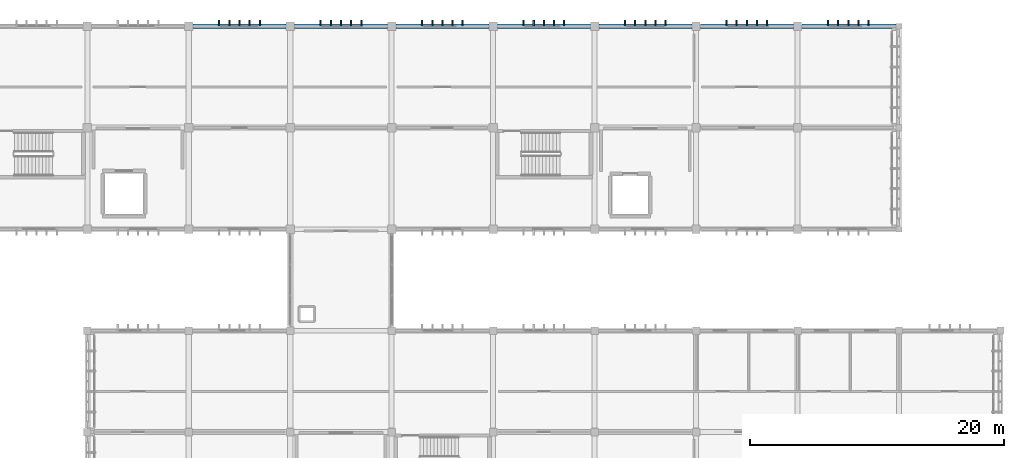
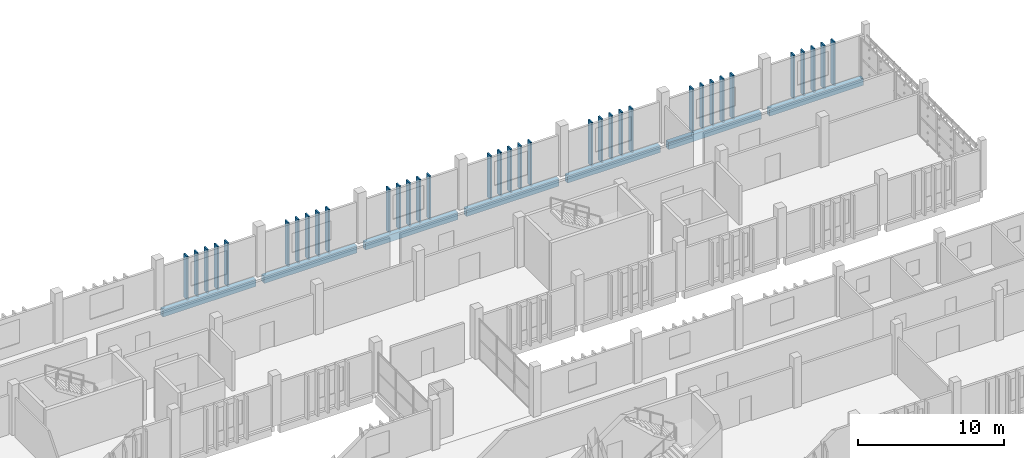
# One storey, part 38 of 63: 35 members, 7 beams.
"""IFC4 building model written with IfcOpenShell, lengths in metres."""

from ifc_helpers import new_model, si_unit, direction, frame, origin, origin_2d, place, context, subcontext, project, spatial, rectangle, extrude, material, material_profile, profile_set, type_object, element, save


model = new_model("IFC4")

# Units and contexts
model_context = context("Model", 3, precision=1e-05, world=origin(), true_north=direction((0.0, 1.0)))
body_context = subcontext(model_context, "Body", "Model", "MODEL_VIEW")
ifc_project = project(units=[si_unit("LENGTHUNIT", "METRE"), si_unit("AREAUNIT", "SQUARE_METRE"), si_unit("VOLUMEUNIT", "CUBIC_METRE"), si_unit("PLANEANGLEUNIT", "RADIAN"), si_unit("MASSUNIT", "GRAM", prefix="KILO")], contexts=[model_context])

# Site, building, storey
site_placement = place(None, origin())
site = spatial("IfcSite", under=ifc_project, at=site_placement, CompositionType="ELEMENT")
building_placement = place(site_placement, origin())
building = spatial("IfcBuilding", under=site, at=building_placement, Name="Jelvoka-Kovrelna Polytechnic", CompositionType="ELEMENT")
storey_placement = place(building_placement, frame((0.0, 0.0, 18.0)))
storey = spatial("IfcBuildingStorey", under=building, at=storey_placement, Name="L05", CompositionType="ELEMENT", Elevation=18.0)

# Members
ifc_material_1 = material(Name="Precast concrete C40/50", Category="concrete")
ifc_material_profile_1 = material_profile(ifc_material_1, rectangle(XDim=0.1201171875, YDim=0.449951171875, at=origin_2d()), Name="PC 120x450")
ifc_profile_set_1 = profile_set([ifc_material_profile_1], Name="Precast concrete C40/50")
member_type = type_object("IfcMemberType", Name="Louvre_Fin_120x450", PredefinedType="USERDEFINED", material=ifc_profile_set_1)
for number, where, z_axis, x_axis, name in (
    (1, (138.39990234375, 72.264892578125, -0.27001953125), (0.0, 0.0, 1.0), (1.0, 0.0, 0.0), "L05 B3 north vertical solar louvre fin 1881"),
    (2, (139.199951171875, 72.264892578125, -0.27001953125), (0.0, 0.0, 1.0), (1.0, 0.0, 0.0), "L05 B3 north vertical solar louvre fin 1882"),
    (3, (140.0, 72.264892578125, -0.27001953125), (0.0, 0.0, 1.0), (1.0, 0.0, 0.0), "L05 B3 north vertical solar louvre fin 1883"),
    (4, (140.800048828125, 72.264892578125, -0.27001953125), (0.0, 0.0, 1.0), (1.0, 0.0, 0.0), "L05 B3 north vertical solar louvre fin 1884"),
    (5, (141.60009765625, 72.264892578125, -0.27001953125), (0.0, 0.0, 1.0), (1.0, 0.0, 0.0), "L05 B3 north vertical solar louvre fin 1885"),
    (6, (146.39990234375, 72.264892578125, -0.27001953125), (0.0, 0.0, 1.0), (1.0, 0.0, 0.0), "L05 B3 north vertical solar louvre fin 1886"),
    (7, (147.199951171875, 72.264892578125, -0.27001953125), (0.0, 0.0, 1.0), (1.0, 0.0, 0.0), "L05 B3 north vertical solar louvre fin 1887"),
    (8, (148.0, 72.264892578125, -0.27001953125), (0.0, 0.0, 1.0), (1.0, 0.0, 0.0), "L05 B3 north vertical solar louvre fin 1888"),
    (9, (148.800048828125, 72.264892578125, -0.27001953125), (0.0, 0.0, 1.0), (1.0, 0.0, 0.0), "L05 B3 north vertical solar louvre fin 1889"),
    (10, (149.60009765625, 72.264892578125, -0.27001953125), (0.0, 0.0, 1.0), (1.0, 0.0, 0.0), "L05 B3 north vertical solar louvre fin 1890"),
    (11, (154.39990234375, 72.264892578125, -0.27001953125), (0.0, 0.0, 1.0), (1.0, 0.0, 0.0), "L05 B3 north vertical solar louvre fin 1896"),
    (12, (155.199951171875, 72.264892578125, -0.27001953125), (0.0, 0.0, 1.0), (1.0, 0.0, 0.0), "L05 B3 north vertical solar louvre fin 1897"),
    (13, (156.0, 72.264892578125, -0.27001953125), (0.0, 0.0, 1.0), (1.0, 0.0, 0.0), "L05 B3 north vertical solar louvre fin 1898"),
    (14, (156.800048828125, 72.264892578125, -0.27001953125), (0.0, 0.0, 1.0), (1.0, 0.0, 0.0), "L05 B3 north vertical solar louvre fin 1899"),
    (15, (157.60009765625, 72.264892578125, -0.27001953125), (0.0, 0.0, 1.0), (1.0, 0.0, 0.0), "L05 B3 north vertical solar louvre fin 1900"),
    (16, (162.39990234375, 72.264892578125, -0.27001953125), (0.0, 0.0, 1.0), (1.0, 0.0, 0.0), "L05 B3 north vertical solar louvre fin 1906"),
    (17, (163.199951171875, 72.264892578125, -0.27001953125), (0.0, 0.0, 1.0), (1.0, 0.0, 0.0), "L05 B3 north vertical solar louvre fin 1907"),
    (18, (164.0, 72.264892578125, -0.27001953125), (0.0, 0.0, 1.0), (1.0, 0.0, 0.0), "L05 B3 north vertical solar louvre fin 1908"),
    (19, (164.800048828125, 72.264892578125, -0.27001953125), (0.0, 0.0, 1.0), (1.0, 0.0, 0.0), "L05 B3 north vertical solar louvre fin 1909"),
    (20, (165.60009765625, 72.264892578125, -0.27001953125), (0.0, 0.0, 1.0), (1.0, 0.0, 0.0), "L05 B3 north vertical solar louvre fin 1910"),
    (21, (170.39990234375, 72.264892578125, -0.27001953125), (0.0, 0.0, 1.0), (1.0, 0.0, 0.0), "L05 B3 north vertical solar louvre fin 1916"),
    (22, (171.199951171875, 72.264892578125, -0.27001953125), (0.0, 0.0, 1.0), (1.0, 0.0, 0.0), "L05 B3 north vertical solar louvre fin 1917"),
    (23, (172.0, 72.264892578125, -0.27001953125), (0.0, 0.0, 1.0), (1.0, 0.0, 0.0), "L05 B3 north vertical solar louvre fin 1918"),
    (24, (172.800048828125, 72.264892578125, -0.27001953125), (0.0, 0.0, 1.0), (1.0, 0.0, 0.0), "L05 B3 north vertical solar louvre fin 1919"),
    (25, (173.60009765625, 72.264892578125, -0.27001953125), (0.0, 0.0, 1.0), (1.0, 0.0, 0.0), "L05 B3 north vertical solar louvre fin 1920"),
    (26, (178.39990234375, 72.264892578125, -0.27001953125), (0.0, 0.0, 1.0), (1.0, 0.0, 0.0), "L05 B3 north vertical solar louvre fin 1926"),
    (27, (179.199951171875, 72.264892578125, -0.27001953125), (0.0, 0.0, 1.0), (1.0, 0.0, 0.0), "L05 B3 north vertical solar louvre fin 1927"),
    (28, (180.0, 72.264892578125, -0.27001953125), (0.0, 0.0, 1.0), (1.0, 0.0, 0.0), "L05 B3 north vertical solar louvre fin 1928"),
    (29, (180.800048828125, 72.264892578125, -0.27001953125), (0.0, 0.0, 1.0), (1.0, 0.0, 0.0), "L05 B3 north vertical solar louvre fin 1929"),
    (30, (181.60009765625, 72.264892578125, -0.27001953125), (0.0, 0.0, 1.0), (1.0, 0.0, 0.0), "L05 B3 north vertical solar louvre fin 1930"),
):
    element("IfcMember", number, at=place(storey_placement, frame(where, z_axis=z_axis, x_axis=x_axis)), inside=storey, type_object=member_type, Name=name, ObjectType="SUNSHADE", PredefinedType="USERDEFINED", context=body_context, shape_type="SweptSolid", body=[
        extrude(rectangle(XDim=0.1201171875, YDim=0.449951171875, at=origin_2d()), origin(), (0.0, 0.0, 1.0), 3.655029296875),
    ])
for number, where, z_axis, x_axis, name in (
    (31, (186.39990234375, 72.264892578125, -0.27001953125), (0.0, 0.0, 1.0), (1.0, 0.0, 0.0), "L05 B3 north vertical solar louvre fin 1936"),
    (32, (187.199951171875, 72.264892578125, -0.27001953125), (0.0, 0.0, 1.0), (1.0, 0.0, 0.0), "L05 B3 north vertical solar louvre fin 1937"),
    (33, (188.0, 72.264892578125, -0.27001953125), (0.0, 0.0, 1.0), (1.0, 0.0, 0.0), "L05 B3 north vertical solar louvre fin 1938"),
    (34, (188.800048828125, 72.264892578125, -0.27001953125), (0.0, 0.0, 1.0), (1.0, 0.0, 0.0), "L05 B3 north vertical solar louvre fin 1939"),
    (35, (189.60009765625, 72.264892578125, -0.27001953125), (0.0, 0.0, 1.0), (1.0, 0.0, 0.0), "L05 B3 north vertical solar louvre fin 1940"),
):
    element("IfcMember", number, at=place(storey_placement, frame(where, z_axis=z_axis, x_axis=x_axis)), inside=storey, type_object=member_type, Name=name, ObjectType="SUNSHADE", PredefinedType="USERDEFINED", context=body_context, shape_type="SweptSolid", body=[
        extrude(rectangle(XDim=0.1201171875, YDim=0.449951171875, at=origin_2d()), origin(), (0.0, 0.0, 1.0), 3.669921875),
    ])

# Beams
ifc_material_2 = material(Name="Concrete C40/50", Category="concrete")
ifc_material_profile_2 = material_profile(ifc_material_2, rectangle(XDim=0.35009765625, YDim=0.60009765625, at=origin_2d()), Name="RC 350x600")
ifc_profile_set_2 = profile_set([ifc_material_profile_2], Name="Concrete C40/50")
beam_type = type_object("IfcBeamType", Name="Spandrel_RC_350x600", PredefinedType="SPANDREL", material=ifc_profile_set_2)
for number, where, z_axis, x_axis, name in (
    (36, (136.330078125, 72.0, -0.550048828125), (1.0, 0.0, 0.0), (0.0, 1.0, 0.0), "L05 beam 1562"),
    (37, (144.330078125, 72.0, -0.550048828125), (1.0, 0.0, 0.0), (0.0, 1.0, 0.0), "L05 beam 1563"),
    (38, (152.330078125, 72.0, -0.550048828125), (1.0, 0.0, 0.0), (0.0, 1.0, 0.0), "L05 beam 1564"),
    (39, (160.330078125, 72.0, -0.550048828125), (1.0, 0.0, 0.0), (0.0, 1.0, 0.0), "L05 beam 1565"),
    (40, (168.330078125, 72.0, -0.550048828125), (1.0, 0.0, 0.0), (0.0, 1.0, 0.0), "L05 beam 1566"),
    (41, (176.330078125, 72.0, -0.550048828125), (1.0, 0.0, 0.0), (0.0, 1.0, 0.0), "L05 beam 1567"),
):
    element("IfcBeam", number, at=place(storey_placement, frame(where, z_axis=z_axis, x_axis=x_axis)), inside=storey, type_object=beam_type, Name=name, PredefinedType="SPANDREL", context=body_context, shape_type="SweptSolid", body=[
        extrude(rectangle(XDim=0.35009765625, YDim=0.60009765625, at=origin_2d()), origin(), (0.0, 0.0, 1.0), 7.33984375),
    ])
beam_placement = place(storey_placement, frame((184.330078125, 72.0, -0.550048828125), z_axis=(1.0, 0.0, 0.0), x_axis=(0.0, 1.0, 0.0)))
element("IfcBeam", 42, at=beam_placement, inside=storey, type_object=beam_type, Name="L05 beam 1568", PredefinedType="SPANDREL", context=body_context, shape_type="SweptSolid", body=[
    extrude(rectangle(XDim=0.35009765625, YDim=0.60009765625, at=origin_2d()), origin(), (0.0, 0.0, 1.0), 7.4150390625),
])

save(model, "model.ifc")
